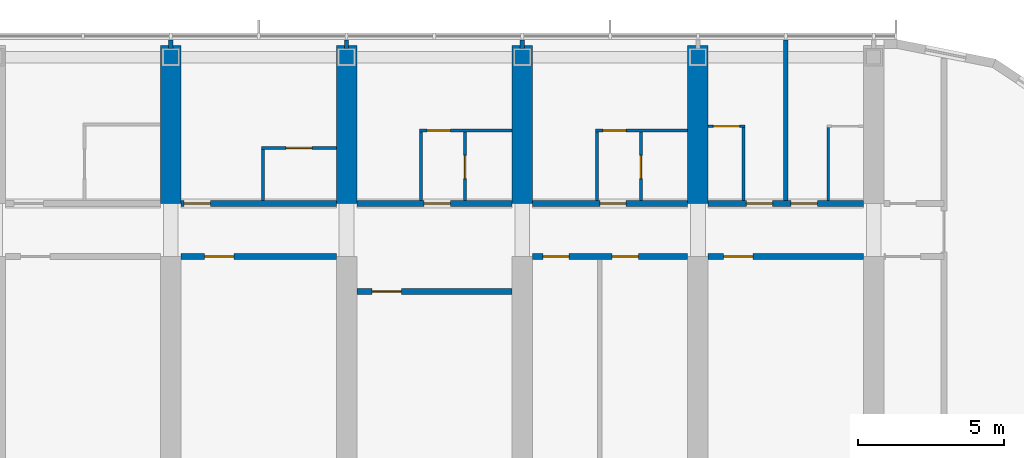
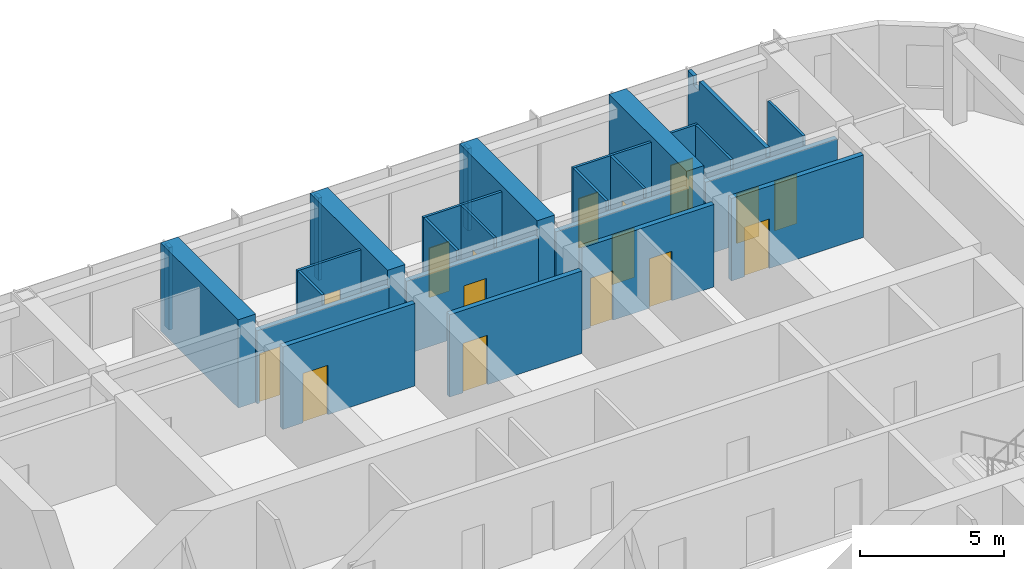
# One storey, part 17 of 23: 27 walls, 16 doors, 16 openings.
"""IFC4 building model written with IfcOpenShell, lengths in metres."""

from ifc_helpers import new_model, si_unit, direction, frame, frame_2d, origin, place, context, subcontext, project, spatial, polyline, rectangle, outline, extrude, material, layer, layer_set, type_object, element, fill, save


model = new_model("IFC4")

# Units and contexts
model_context = context("Model", 3, precision=1e-05, world=origin(), true_north=direction((0.0, 1.0)))
body_context = subcontext(model_context, "Body", "Model", "MODEL_VIEW")
ifc_project = project(units=[si_unit("LENGTHUNIT", "METRE"), si_unit("AREAUNIT", "SQUARE_METRE"), si_unit("VOLUMEUNIT", "CUBIC_METRE"), si_unit("PLANEANGLEUNIT", "RADIAN"), si_unit("MASSUNIT", "GRAM", prefix="KILO")], contexts=[model_context])

# Site, building, storey
site_placement = place(None, origin())
site = spatial("IfcSite", under=ifc_project, at=site_placement, CompositionType="ELEMENT")
building_placement = place(site_placement, origin())
building = spatial("IfcBuilding", under=site, at=building_placement, Name="Orbita Commons", CompositionType="ELEMENT")
storey_placement = place(building_placement, frame((0.0, 0.0, 250.300048828125)))
storey = spatial("IfcBuildingStorey", under=building, at=storey_placement, Name="L62", CompositionType="ELEMENT", Elevation=250.300048828125)

# Wall, opening, door
ifc_material_1 = material(Name="Concrete blockwork", Category="masonry")
ifc_layer_1 = layer(ifc_material_1, 0.199951171875)
ifc_layer_set_1 = layer_set([ifc_layer_1], Name="Concrete blockwork")
wall_type_1 = type_object("IfcWallType", Name="Corridor wall 200 blockwork", PredefinedType="SOLIDWALL", material=ifc_layer_set_1)
wall_1_placement = place(storey_placement, frame((42.35009765625, 47.39990234375, 0.0), z_axis=(0.0, 0.0, 1.0), x_axis=(1.0, 0.0, 0.0)))
wall_1 = element("IfcWall", 1, at=wall_1_placement, inside=storey, type_object=wall_type_1, Name="Corridor wall 200 blockwork L62", PredefinedType="SOLIDWALL", context=body_context, shape_type="SweptSolid", body=[
    extrude(outline(polyline([(0.0, 0.0), (5.2998046875, 0.0), (5.300048828125, 3.099853515625), (0.0, 3.099853515625), (0.0, 0.0)])), frame((0.0, 0.10009765625, 0.0), z_axis=(0.0, -1.0, 0.0), x_axis=(1.0, 0.0, 0.0)), (0.0, 0.0, 1.0), 0.199951171875),
])
opening_1_placement = place(wall_1_placement, frame((0.10009765625, 0.0, 0.0)))
opening_1 = element("IfcOpeningElement", 2, at=opening_1_placement, cuts=wall_1, Name="Opening D11", PredefinedType="OPENING", context=body_context, shape_type="SweptSolid", body=[
    extrude(rectangle(XDim=0.89990234375, YDim=2.10009765625, at=frame_2d((0.449951171875, 1.050048828125))), frame((0.0, 0.10986328125, 0.0), z_axis=(0.0, -1.0, 0.0), x_axis=(1.0, 0.0, 0.0)), (0.0, 0.0, 1.0), 0.219970703125),
])
ifc_material_2 = material(Name="Steel-faced fire door leaf", Category="steel")
door_type_1 = type_object("IfcDoorType", Name="Corridor door 20 min 900x2100", OperationType="SINGLE_SWING_LEFT", PredefinedType="DOOR", material=ifc_material_2)
door_1_placement = place(opening_1_placement, origin())
door_1 = element("IfcDoor", 3, at=door_1_placement, inside=storey, type_object=door_type_1, Name="Studio apartment with kitchenette L62-N08 door", OperationType="SINGLE_SWING_LEFT", OverallHeight=2.10009765625, OverallWidth=0.89990234375, PredefinedType="DOOR", context=body_context, shape_type="SweptSolid", body=[
    extrude(rectangle(XDim=0.89990234375, YDim=2.10009765625, at=frame_2d((0.449951171875, 1.050048828125))), frame((0.0, 0.02490234375, 0.0), z_axis=(0.0, -1.0, 0.0), x_axis=(1.0, 0.0, 0.0)), (0.0, 0.0, 1.0), 0.050048828125),
])
fill(opening_1, door_1)

wall_2_placement = place(storey_placement, frame((48.35009765625, 47.39990234375, 0.0), z_axis=(0.0, 0.0, 1.0), x_axis=(1.0, 0.0, 0.0)))
wall_2 = element("IfcWall", 4, at=wall_2_placement, inside=storey, type_object=wall_type_1, Name="Corridor wall 200 blockwork L62", PredefinedType="SOLIDWALL", context=body_context, shape_type="SweptSolid", body=[
    extrude(outline(polyline([(0.0, 0.0), (5.2998046875, 0.0), (5.300048828125, 3.099853515625), (0.0, 3.099853515625), (0.0, 0.0)])), frame((0.0, 0.10009765625, 0.0), z_axis=(0.0, -1.0, 0.0), x_axis=(1.0, 0.0, 0.0)), (0.0, 0.0, 1.0), 0.199951171875),
])
opening_2_placement = place(wall_2_placement, frame((2.300048828125, 0.0, 0.0)))
opening_2 = element("IfcOpeningElement", 5, at=opening_2_placement, cuts=wall_2, Name="Opening D11", PredefinedType="OPENING", context=body_context, shape_type="SweptSolid", body=[
    extrude(rectangle(XDim=0.89990234375, YDim=2.10009765625, at=frame_2d((0.449951171875, 1.050048828125))), frame((0.0, 0.10986328125, 0.0), z_axis=(0.0, -1.0, 0.0), x_axis=(1.0, 0.0, 0.0)), (0.0, 0.0, 1.0), 0.219970703125),
])
door_2_placement = place(opening_2_placement, origin())
door_2 = element("IfcDoor", 6, at=door_2_placement, inside=storey, type_object=door_type_1, Name="Studio flat L62-N10 entrance door", OperationType="SINGLE_SWING_LEFT", OverallHeight=2.10009765625, OverallWidth=0.89990234375, PredefinedType="DOOR", context=body_context, shape_type="SweptSolid", body=[
    extrude(rectangle(XDim=0.89990234375, YDim=2.10009765625, at=frame_2d((0.449951171875, 1.050048828125))), frame((0.0, 0.02490234375, 0.0), z_axis=(0.0, -1.0, 0.0), x_axis=(1.0, 0.0, 0.0)), (0.0, 0.0, 1.0), 0.050048828125),
])
fill(opening_2, door_2)

wall_3_placement = place(storey_placement, frame((54.35009765625, 47.39990234375, 0.0), z_axis=(0.0, 0.0, 1.0), x_axis=(1.0, 0.0, 0.0)))
wall_3 = element("IfcWall", 7, at=wall_3_placement, inside=storey, type_object=wall_type_1, Name="Corridor wall 200 blockwork L62", PredefinedType="SOLIDWALL", context=body_context, shape_type="SweptSolid", body=[
    extrude(outline(polyline([(0.0, 0.0), (5.2998046875, 0.0), (5.300048828125, 3.099853515625), (0.0, 3.099853515625), (0.0, 0.0)])), frame((0.0, 0.10009765625, 0.0), z_axis=(0.0, -1.0, 0.0), x_axis=(1.0, 0.0, 0.0)), (0.0, 0.0, 1.0), 0.199951171875),
])
opening_3_placement = place(wall_3_placement, frame((2.300048828125, 0.0, 0.0)))
opening_3 = element("IfcOpeningElement", 8, at=opening_3_placement, cuts=wall_3, Name="Opening D11", PredefinedType="OPENING", context=body_context, shape_type="SweptSolid", body=[
    extrude(rectangle(XDim=0.89990234375, YDim=2.10009765625, at=frame_2d((0.449951171875, 1.050048828125))), frame((0.0, 0.10986328125, 0.0), z_axis=(0.0, -1.0, 0.0), x_axis=(1.0, 0.0, 0.0)), (0.0, 0.0, 1.0), 0.219970703125),
])
door_3_placement = place(opening_3_placement, origin())
door_3 = element("IfcDoor", 9, at=door_3_placement, inside=storey, type_object=door_type_1, Name="Studio flat L62-N12 entrance door", OperationType="SINGLE_SWING_LEFT", OverallHeight=2.10009765625, OverallWidth=0.89990234375, PredefinedType="DOOR", context=body_context, shape_type="SweptSolid", body=[
    extrude(rectangle(XDim=0.89990234375, YDim=2.10009765625, at=frame_2d((0.449951171875, 1.050048828125))), frame((0.0, 0.02490234375, 0.0), z_axis=(0.0, -1.0, 0.0), x_axis=(1.0, 0.0, 0.0)), (0.0, 0.0, 1.0), 0.050048828125),
])
fill(opening_3, door_3)

# Wall, openings, doors
wall_4_placement = place(storey_placement, frame((60.35009765625, 47.39990234375, 0.0), z_axis=(0.0, 0.0, 1.0), x_axis=(1.0, 0.0, 0.0)))
wall_4 = element("IfcWall", 10, at=wall_4_placement, inside=storey, type_object=wall_type_1, Name="Corridor wall 200 blockwork L62", PredefinedType="SOLIDWALL", context=body_context, shape_type="SweptSolid", body=[
    extrude(outline(polyline([(0.0, 0.0), (5.2998046875, 0.0), (5.300048828125, 3.099853515625), (0.0, 3.099853515625), (0.0, 0.0)])), frame((0.0, 0.10009765625, 0.0), z_axis=(0.0, -1.0, 0.0), x_axis=(1.0, 0.0, 0.0)), (0.0, 0.0, 1.0), 0.199951171875),
])
opening_4_placement = place(wall_4_placement, frame((1.300048828125, 0.0, 0.0)))
opening_4 = element("IfcOpeningElement", 11, at=opening_4_placement, cuts=wall_4, Name="Opening D11", PredefinedType="OPENING", context=body_context, shape_type="SweptSolid", body=[
    extrude(rectangle(XDim=0.89990234375, YDim=2.10009765625, at=frame_2d((0.449951171875, 1.050048828125))), frame((0.0, 0.10986328125, 0.0), z_axis=(0.0, -1.0, 0.0), x_axis=(1.0, 0.0, 0.0)), (0.0, 0.0, 1.0), 0.219970703125),
])
opening_5_placement = place(wall_4_placement, frame((2.824951171875, 0.0, 0.0)))
opening_5 = element("IfcOpeningElement", 12, at=opening_5_placement, cuts=wall_4, Name="Opening D11", PredefinedType="OPENING", context=body_context, shape_type="SweptSolid", body=[
    extrude(rectangle(XDim=0.89990234375, YDim=2.10009765625, at=frame_2d((0.449951171875, 1.050048828125))), frame((0.0, 0.10986328125, 0.0), z_axis=(0.0, -1.0, 0.0), x_axis=(1.0, 0.0, 0.0)), (0.0, 0.0, 1.0), 0.219970703125),
])
door_4_placement = place(opening_4_placement, origin())
door_4 = element("IfcDoor", 13, at=door_4_placement, inside=storey, type_object=door_type_1, Name="Cluster bedroom L62-N14 door", OperationType="SINGLE_SWING_LEFT", OverallHeight=2.10009765625, OverallWidth=0.89990234375, PredefinedType="DOOR", context=body_context, shape_type="SweptSolid", body=[
    extrude(rectangle(XDim=0.89990234375, YDim=2.10009765625, at=frame_2d((0.449951171875, 1.050048828125))), frame((0.0, 0.02490234375, 0.0), z_axis=(0.0, -1.0, 0.0), x_axis=(1.0, 0.0, 0.0)), (0.0, 0.0, 1.0), 0.050048828125),
])
fill(opening_4, door_4)
door_5_placement = place(opening_5_placement, origin())
door_5 = element("IfcDoor", 14, at=door_5_placement, inside=storey, type_object=door_type_1, Name="Cluster bedroom L62-N15 door", OperationType="SINGLE_SWING_LEFT", OverallHeight=2.10009765625, OverallWidth=0.89990234375, PredefinedType="DOOR", context=body_context, shape_type="SweptSolid", body=[
    extrude(rectangle(XDim=0.89990234375, YDim=2.10009765625, at=frame_2d((0.449951171875, 1.050048828125))), frame((0.0, 0.02490234375, 0.0), z_axis=(0.0, -1.0, 0.0), x_axis=(1.0, 0.0, 0.0)), (0.0, 0.0, 1.0), 0.050048828125),
])
fill(opening_5, door_5)

# Wall, opening, door
ifc_material_3 = material(Name="Hollow concrete block 200", Category="concrete")
ifc_layer_2 = layer(ifc_material_3, 0.199951171875)
ifc_layer_set_2 = layer_set([ifc_layer_2], Name="Hollow concrete block 200")
wall_type_2 = type_object("IfcWallType", Name="Corridor wall 200 hollow concrete block", PredefinedType="SOLIDWALL", material=ifc_layer_set_2)
wall_5_placement = place(storey_placement, frame((42.35009765625, 45.60009765625, 0.0), z_axis=(0.0, 0.0, 1.0), x_axis=(1.0, 0.0, 0.0)))
wall_5 = element("IfcWall", 15, at=wall_5_placement, inside=storey, type_object=wall_type_2, Name="Corridor wall 200 hollow concrete block L62", PredefinedType="SOLIDWALL", context=body_context, shape_type="SweptSolid", body=[
    extrude(rectangle(XDim=5.2998046875, YDim=0.199951171875, at=frame_2d((2.64990234375, 0.0))), origin(), (0.0, 0.0, 1.0), 3.5),
])
opening_6_placement = place(wall_5_placement, frame((0.800048828125, 0.0, 0.0)))
opening_6 = element("IfcOpeningElement", 16, at=opening_6_placement, cuts=wall_5, Name="Opening D06", PredefinedType="OPENING", context=body_context, shape_type="SweptSolid", body=[
    extrude(rectangle(XDim=1.0, YDim=2.10009765625, at=frame_2d((0.5, 1.050048828125))), frame((0.0, 0.10986328125, 0.0), z_axis=(0.0, -1.0, 0.0), x_axis=(1.0, 0.0, 0.0)), (0.0, 0.0, 1.0), 0.219970703125),
])
ifc_material_4 = material(Name="Steel-faced fire door leaf", Category="steel")
door_type_2 = type_object("IfcDoorType", Name="Corridor door 20 min 1000x2100", OperationType="SINGLE_SWING_LEFT", PredefinedType="DOOR", material=ifc_material_4)
door_6_placement = place(opening_6_placement, origin())
door_6 = element("IfcDoor", 17, at=door_6_placement, inside=storey, type_object=door_type_2, Name="Electrical and data room L62-BDN42 door", OperationType="SINGLE_SWING_LEFT", OverallHeight=2.10009765625, OverallWidth=1.0, PredefinedType="DOOR", context=body_context, shape_type="SweptSolid", body=[
    extrude(rectangle(XDim=1.0, YDim=2.10009765625, at=frame_2d((0.5, 1.050048828125))), frame((0.0, 0.02490234375, 0.0), z_axis=(0.0, -1.0, 0.0), x_axis=(1.0, 0.0, 0.0)), (0.0, 0.0, 1.0), 0.050048828125),
])
fill(opening_6, door_6)

# Wall, openings, doors
wall_6_placement = place(storey_placement, frame((54.35009765625, 45.60009765625, 0.0), z_axis=(0.0, 0.0, 1.0), x_axis=(1.0, 0.0, 0.0)))
wall_6 = element("IfcWall", 18, at=wall_6_placement, inside=storey, type_object=wall_type_2, Name="Corridor wall 200 hollow concrete block L62", PredefinedType="SOLIDWALL", context=body_context, shape_type="SweptSolid", body=[
    extrude(rectangle(XDim=5.2998046875, YDim=0.199951171875, at=frame_2d((2.64990234375, 0.0))), origin(), (0.0, 0.0, 1.0), 3.5),
])
opening_7_placement = place(wall_6_placement, frame((0.35009765625, 0.0, 0.0)))
opening_7 = element("IfcOpeningElement", 19, at=opening_7_placement, cuts=wall_6, Name="Opening D11", PredefinedType="OPENING", context=body_context, shape_type="SweptSolid", body=[
    extrude(rectangle(XDim=0.89990234375, YDim=2.10009765625, at=frame_2d((0.449951171875, 1.050048828125))), frame((0.0, 0.10986328125, 0.0), z_axis=(0.0, -1.0, 0.0), x_axis=(1.0, 0.0, 0.0)), (0.0, 0.0, 1.0), 0.219970703125),
])
opening_8_placement = place(wall_6_placement, frame((2.715087890625, 0.0, 0.0)))
opening_8 = element("IfcOpeningElement", 20, at=opening_8_placement, cuts=wall_6, Name="Opening D11", PredefinedType="OPENING", context=body_context, shape_type="SweptSolid", body=[
    extrude(rectangle(XDim=0.89990234375, YDim=2.10009765625, at=frame_2d((0.449951171875, 1.050048828125))), frame((0.0, 0.10986328125, 0.0), z_axis=(0.0, -1.0, 0.0), x_axis=(1.0, 0.0, 0.0)), (0.0, 0.0, 1.0), 0.219970703125),
])
door_7_placement = place(opening_7_placement, origin())
door_7 = element("IfcDoor", 21, at=door_7_placement, inside=storey, type_object=door_type_1, Name="Battery and UPS room L62-BDN54n door", OperationType="SINGLE_SWING_LEFT", OverallHeight=2.10009765625, OverallWidth=0.89990234375, PredefinedType="DOOR", context=body_context, shape_type="SweptSolid", body=[
    extrude(rectangle(XDim=0.89990234375, YDim=2.10009765625, at=frame_2d((0.449951171875, 1.050048828125))), frame((0.0, 0.02490234375, 0.0), z_axis=(0.0, -1.0, 0.0), x_axis=(1.0, 0.0, 0.0)), (0.0, 0.0, 1.0), 0.050048828125),
])
fill(opening_7, door_7)
door_8_placement = place(opening_8_placement, origin())
door_8 = element("IfcDoor", 22, at=door_8_placement, inside=storey, type_object=door_type_1, Name="Refuse and recycling room L62-BDN54 door", OperationType="SINGLE_SWING_LEFT", OverallHeight=2.10009765625, OverallWidth=0.89990234375, PredefinedType="DOOR", context=body_context, shape_type="SweptSolid", body=[
    extrude(rectangle(XDim=0.89990234375, YDim=2.10009765625, at=frame_2d((0.449951171875, 1.050048828125))), frame((0.0, 0.02490234375, 0.0), z_axis=(0.0, -1.0, 0.0), x_axis=(1.0, 0.0, 0.0)), (0.0, 0.0, 1.0), 0.050048828125),
])
fill(opening_8, door_8)

# Wall, opening, door
wall_7_placement = place(storey_placement, frame((60.35009765625, 45.60009765625, 0.0), z_axis=(0.0, 0.0, 1.0), x_axis=(1.0, 0.0, 0.0)))
wall_7 = element("IfcWall", 23, at=wall_7_placement, inside=storey, type_object=wall_type_2, Name="Corridor wall 200 hollow concrete block L62", PredefinedType="SOLIDWALL", context=body_context, shape_type="SweptSolid", body=[
    extrude(rectangle(XDim=5.2998046875, YDim=0.199951171875, at=frame_2d((2.64990234375, 0.0))), origin(), (0.0, 0.0, 1.0), 3.5),
])
opening_9_placement = place(wall_7_placement, frame((0.52490234375, 0.0, 0.0)))
opening_9 = element("IfcOpeningElement", 24, at=opening_9_placement, cuts=wall_7, Name="Opening D06", PredefinedType="OPENING", context=body_context, shape_type="SweptSolid", body=[
    extrude(rectangle(XDim=1.0, YDim=2.10009765625, at=frame_2d((0.5, 1.050048828125))), frame((0.0, 0.10986328125, 0.0), z_axis=(0.0, -1.0, 0.0), x_axis=(1.0, 0.0, 0.0)), (0.0, 0.0, 1.0), 0.219970703125),
])
door_9_placement = place(opening_9_placement, origin())
door_9 = element("IfcDoor", 25, at=door_9_placement, inside=storey, type_object=door_type_2, Name="Store L62-BDN60 door", OperationType="SINGLE_SWING_LEFT", OverallHeight=2.10009765625, OverallWidth=1.0, PredefinedType="DOOR", context=body_context, shape_type="SweptSolid", body=[
    extrude(rectangle(XDim=1.0, YDim=2.10009765625, at=frame_2d((0.5, 1.050048828125))), frame((0.0, 0.02490234375, 0.0), z_axis=(0.0, -1.0, 0.0), x_axis=(1.0, 0.0, 0.0)), (0.0, 0.0, 1.0), 0.050048828125),
])
fill(opening_9, door_9)

wall_8_placement = place(storey_placement, frame((48.35009765625, 44.39990234375, 0.0), z_axis=(0.0, 0.0, 1.0), x_axis=(1.0, 0.0, 0.0)))
wall_8 = element("IfcWall", 26, at=wall_8_placement, inside=storey, type_object=wall_type_2, Name="Corridor wall 200 hollow concrete block L62", PredefinedType="SOLIDWALL", context=body_context, shape_type="SweptSolid", body=[
    extrude(rectangle(XDim=5.2998046875, YDim=0.199951171875, at=frame_2d((2.64990234375, 0.0))), origin(), (0.0, 0.0, 1.0), 3.5),
])
opening_10_placement = place(wall_8_placement, frame((0.52490234375, 0.0, 0.0)))
opening_10 = element("IfcOpeningElement", 27, at=opening_10_placement, cuts=wall_8, Name="Opening D06", PredefinedType="OPENING", context=body_context, shape_type="SweptSolid", body=[
    extrude(rectangle(XDim=1.0, YDim=2.10009765625, at=frame_2d((0.5, 1.050048828125))), frame((0.0, 0.10986328125, 0.0), z_axis=(0.0, -1.0, 0.0), x_axis=(1.0, 0.0, 0.0)), (0.0, 0.0, 1.0), 0.219970703125),
])
door_10_placement = place(opening_10_placement, origin())
door_10 = element("IfcDoor", 28, at=door_10_placement, inside=storey, type_object=door_type_2, Name="Ventilation plant room north L62-BDN48 door", OperationType="SINGLE_SWING_LEFT", OverallHeight=2.10009765625, OverallWidth=1.0, PredefinedType="DOOR", context=body_context, shape_type="SweptSolid", body=[
    extrude(rectangle(XDim=1.0, YDim=2.10009765625, at=frame_2d((0.5, 1.050048828125))), frame((0.0, 0.02490234375, 0.0), z_axis=(0.0, -1.0, 0.0), x_axis=(1.0, 0.0, 0.0)), (0.0, 0.0, 1.0), 0.050048828125),
])
fill(opening_10, door_10)

# Walls
ifc_material_5 = material(Name="Concrete C50/60", Category="concrete")
ifc_layer_3 = layer(ifc_material_5, 0.699951171875)
ifc_layer_set_3 = layer_set([ifc_layer_3], Name="Concrete C50/60")
wall_type_3 = type_object("IfcWallType", Name="Cross wall 700 C50/60", PredefinedType="SHEAR", material=ifc_layer_set_3)
for number, where, z_axis, x_axis, name in (
    (29, (42.0, 47.39990234375, 0.0), (0.0, 0.0, 1.0), (0.0, 1.0, 0.0), "Cross wall 8 north outer L62"),
    (30, (48.0, 47.39990234375, 0.0), (0.0, 0.0, 1.0), (0.0, 1.0, 0.0), "Cross wall 9 north outer L62"),
    (31, (54.0, 47.39990234375, 0.0), (0.0, 0.0, 1.0), (0.0, 1.0, 0.0), "Cross wall 10 north outer L62"),
    (32, (60.0, 47.39990234375, 0.0), (0.0, 0.0, 1.0), (0.0, 1.0, 0.0), "Cross wall 11 north outer L62"),
):
    element("IfcWall", number, at=place(storey_placement, frame(where, z_axis=z_axis, x_axis=x_axis)), inside=storey, type_object=wall_type_3, Name=name, PredefinedType="SHEAR", context=body_context, shape_type="SweptSolid", body=[
        extrude(rectangle(XDim=5.400146484375, YDim=0.699951171875, at=frame_2d((2.7001953125, 0.0))), origin(), (0.0, 0.0, 1.0), 3.75),
    ])

# Wall, opening, door
ifc_material_6 = material(Name="Moisture-resistant plasterboard on steel studs", Category="steel")
ifc_layer_4 = layer(ifc_material_6, 0.10009765625)
ifc_layer_set_4 = layer_set([ifc_layer_4], Name="Moisture-resistant plasterboard on steel studs")
wall_type_4 = type_object("IfcWallType", Name="En-suite partition 100", PredefinedType="PARTITIONING", material=ifc_layer_set_4)
wall_9_placement = place(storey_placement, frame((45.10009765625, 49.300048828125, 0.0), z_axis=(0.0, 0.0, 1.0), x_axis=(1.0, 0.0, 0.0)))
wall_9 = element("IfcWall", 33, at=wall_9_placement, inside=storey, type_object=wall_type_4, Name="En-suite partition 100 L62", PredefinedType="PARTITIONING", context=body_context, shape_type="SweptSolid", body=[
    extrude(rectangle(XDim=2.5498046875, YDim=0.10009765625, at=frame_2d((1.27490234375, 0.0))), origin(), (0.0, 0.0, 1.0), 3.5),
])
opening_11_placement = place(wall_9_placement, frame((0.824951171875, 0.0, 0.0)))
opening_11 = element("IfcOpeningElement", 34, at=opening_11_placement, cuts=wall_9, Name="Opening D09", PredefinedType="OPENING", context=body_context, shape_type="SweptSolid", body=[
    extrude(rectangle(XDim=0.89990234375, YDim=2.10009765625, at=frame_2d((0.449951171875, 1.050048828125))), frame((0.0, 0.06005859375, 0.0), z_axis=(0.0, -1.0, 0.0), x_axis=(1.0, 0.0, 0.0)), (0.0, 0.0, 1.0), 0.1201171875),
])
ifc_material_7 = material(Name="Laminated timber door leaf", Category="wood")
door_type_3 = type_object("IfcDoorType", Name="En-suite door 900x2100", OperationType="SINGLE_SWING_RIGHT", PredefinedType="DOOR", material=ifc_material_7)
door_11_placement = place(opening_11_placement, origin())
door_11 = element("IfcDoor", 35, at=door_11_placement, inside=storey, type_object=door_type_3, Name="En-suite L62-N08 door", OperationType="SINGLE_SWING_RIGHT", OverallHeight=2.10009765625, OverallWidth=0.89990234375, PredefinedType="DOOR", context=body_context, shape_type="SweptSolid", body=[
    extrude(rectangle(XDim=0.89990234375, YDim=2.10009765625, at=frame_2d((0.449951171875, 1.050048828125))), frame((0.0, 0.02490234375, 0.0), z_axis=(0.0, -1.0, 0.0), x_axis=(1.0, 0.0, 0.0)), (0.0, 0.0, 1.0), 0.050048828125),
])
fill(opening_11, door_11)

# Wall
wall_10_placement = place(storey_placement, frame((45.14990234375, 49.25, 0.0), z_axis=(0.0, 0.0, 1.0), x_axis=(0.0, -1.0, 0.0)))
element("IfcWall", 36, at=wall_10_placement, inside=storey, type_object=wall_type_4, Name="En-suite partition 100 L62", PredefinedType="PARTITIONING", context=body_context, shape_type="SweptSolid", body=[
    extrude(outline(polyline([(0.0, 0.0), (1.75, 0.0), (1.75, 3.099853515625), (1.701904296875, 3.099853515625), (1.699951171875, 3.5), (0.0, 3.5), (0.0, 0.0)])), frame((0.0, 0.050048828125, 0.0), z_axis=(0.0, -1.0, 0.0), x_axis=(1.0, 0.0, 0.0)), (0.0, 0.0, 1.0), 0.10009765625),
])

# Wall, opening, door
wall_11_placement = place(storey_placement, frame((50.5, 49.89990234375, 0.0), z_axis=(0.0, 0.0, 1.0), x_axis=(1.0, 0.0, 0.0)))
wall_11 = element("IfcWall", 37, at=wall_11_placement, inside=storey, type_object=wall_type_4, Name="En-suite partition 100 L62", PredefinedType="PARTITIONING", context=body_context, shape_type="SweptSolid", body=[
    extrude(rectangle(XDim=3.14990234375, YDim=0.10009765625, at=frame_2d((1.574951171875, 0.0))), origin(), (0.0, 0.0, 1.0), 3.5),
])
opening_12_placement = place(wall_11_placement, frame((0.25, 0.0, 0.0)))
opening_12 = element("IfcOpeningElement", 38, at=opening_12_placement, cuts=wall_11, Name="Opening D16", PredefinedType="OPENING", context=body_context, shape_type="SweptSolid", body=[
    extrude(rectangle(XDim=0.800048828125, YDim=2.10009765625, at=frame_2d((0.39990234375, 1.050048828125))), frame((0.0, 0.06005859375, 0.0), z_axis=(0.0, -1.0, 0.0), x_axis=(1.0, 0.0, 0.0)), (0.0, 0.0, 1.0), 0.1201171875),
])
ifc_material_8 = material(Name="Laminated timber door leaf", Category="wood")
door_type_4 = type_object("IfcDoorType", Name="En-suite door 800x2100", OperationType="SINGLE_SWING_RIGHT", PredefinedType="DOOR", material=ifc_material_8)
door_12_placement = place(opening_12_placement, origin())
door_12 = element("IfcDoor", 39, at=door_12_placement, inside=storey, type_object=door_type_4, Name="Studio flat L62-N10 door", OperationType="SINGLE_SWING_RIGHT", OverallHeight=2.10009765625, OverallWidth=0.800048828125, PredefinedType="DOOR", context=body_context, shape_type="SweptSolid", body=[
    extrude(rectangle(XDim=0.800048828125, YDim=2.10009765625, at=frame_2d((0.39990234375, 1.050048828125))), frame((0.0, 0.02490234375, 0.0), z_axis=(0.0, -1.0, 0.0), x_axis=(1.0, 0.0, 0.0)), (0.0, 0.0, 1.0), 0.050048828125),
])
fill(opening_12, door_12)

# Wall
wall_12_placement = place(storey_placement, frame((50.550048828125, 49.85009765625, 0.0), z_axis=(0.0, 0.0, 1.0), x_axis=(0.0, -1.0, 0.0)))
element("IfcWall", 40, at=wall_12_placement, inside=storey, type_object=wall_type_4, Name="En-suite partition 100 L62", PredefinedType="PARTITIONING", context=body_context, shape_type="SweptSolid", body=[
    extrude(outline(polyline([(0.0, 0.0), (2.35009765625, 0.0), (2.35009765625, 3.099853515625), (2.302001953125, 3.099853515625), (2.300048828125, 3.5), (0.0, 3.5), (0.0, 0.0)])), frame((0.0, 0.050048828125, 0.0), z_axis=(0.0, -1.0, 0.0), x_axis=(1.0, 0.0, 0.0)), (0.0, 0.0, 1.0), 0.10009765625),
])

# Wall, opening, door
wall_13_placement = place(storey_placement, frame((52.050048828125, 49.85009765625, 0.0), z_axis=(0.0, 0.0, 1.0), x_axis=(0.0, -1.0, 0.0)))
wall_13 = element("IfcWall", 41, at=wall_13_placement, inside=storey, type_object=wall_type_4, Name="En-suite partition 100 L62", PredefinedType="PARTITIONING", context=body_context, shape_type="SweptSolid", body=[
    extrude(outline(polyline([(0.0, 0.0), (2.35009765625, 0.0), (2.35009765625, 3.099853515625), (2.302001953125, 3.099853515625), (2.300048828125, 3.5), (0.0, 3.5), (0.0, 0.0)])), frame((0.0, 0.050048828125, 0.0), z_axis=(0.0, -1.0, 0.0), x_axis=(1.0, 0.0, 0.0)), (0.0, 0.0, 1.0), 0.10009765625),
])
opening_13_placement = place(wall_13_placement, frame((0.800048828125, 0.0, 0.0)))
opening_13 = element("IfcOpeningElement", 42, at=opening_13_placement, cuts=wall_13, Name="Opening D16", PredefinedType="OPENING", context=body_context, shape_type="SweptSolid", body=[
    extrude(rectangle(XDim=0.800048828125, YDim=2.10009765625, at=frame_2d((0.39990234375, 1.050048828125))), frame((0.0, 0.06005859375, 0.0), z_axis=(0.0, -1.0, 0.0), x_axis=(1.0, 0.0, 0.0)), (0.0, 0.0, 1.0), 0.1201171875),
])
door_13_placement = place(opening_13_placement, origin())
door_13 = element("IfcDoor", 43, at=door_13_placement, inside=storey, type_object=door_type_4, Name="Studio flat shower room L62-N10 door", OperationType="SINGLE_SWING_RIGHT", OverallHeight=2.10009765625, OverallWidth=0.800048828125, PredefinedType="DOOR", context=body_context, shape_type="SweptSolid", body=[
    extrude(rectangle(XDim=0.800048828125, YDim=2.10009765625, at=frame_2d((0.39990234375, 1.050048828125))), frame((0.0, 0.02490234375, 0.0), z_axis=(0.0, -1.0, 0.0), x_axis=(1.0, 0.0, 0.0)), (0.0, 0.0, 1.0), 0.050048828125),
])
fill(opening_13, door_13)

wall_14_placement = place(storey_placement, frame((56.5, 49.89990234375, 0.0), z_axis=(0.0, 0.0, 1.0), x_axis=(1.0, 0.0, 0.0)))
wall_14 = element("IfcWall", 44, at=wall_14_placement, inside=storey, type_object=wall_type_4, Name="En-suite partition 100 L62", PredefinedType="PARTITIONING", context=body_context, shape_type="SweptSolid", body=[
    extrude(rectangle(XDim=3.14990234375, YDim=0.10009765625, at=frame_2d((1.574951171875, 0.0))), origin(), (0.0, 0.0, 1.0), 3.5),
])
opening_14_placement = place(wall_14_placement, frame((0.25, 0.0, 0.0)))
opening_14 = element("IfcOpeningElement", 45, at=opening_14_placement, cuts=wall_14, Name="Opening D16", PredefinedType="OPENING", context=body_context, shape_type="SweptSolid", body=[
    extrude(rectangle(XDim=0.800048828125, YDim=2.10009765625, at=frame_2d((0.39990234375, 1.050048828125))), frame((0.0, 0.06005859375, 0.0), z_axis=(0.0, -1.0, 0.0), x_axis=(1.0, 0.0, 0.0)), (0.0, 0.0, 1.0), 0.1201171875),
])
door_14_placement = place(opening_14_placement, origin())
door_14 = element("IfcDoor", 46, at=door_14_placement, inside=storey, type_object=door_type_4, Name="Studio flat L62-N12 door", OperationType="SINGLE_SWING_RIGHT", OverallHeight=2.10009765625, OverallWidth=0.800048828125, PredefinedType="DOOR", context=body_context, shape_type="SweptSolid", body=[
    extrude(rectangle(XDim=0.800048828125, YDim=2.10009765625, at=frame_2d((0.39990234375, 1.050048828125))), frame((0.0, 0.02490234375, 0.0), z_axis=(0.0, -1.0, 0.0), x_axis=(1.0, 0.0, 0.0)), (0.0, 0.0, 1.0), 0.050048828125),
])
fill(opening_14, door_14)

# Wall
wall_15_placement = place(storey_placement, frame((56.550048828125, 49.85009765625, 0.0), z_axis=(0.0, 0.0, 1.0), x_axis=(0.0, -1.0, 0.0)))
element("IfcWall", 47, at=wall_15_placement, inside=storey, type_object=wall_type_4, Name="En-suite partition 100 L62", PredefinedType="PARTITIONING", context=body_context, shape_type="SweptSolid", body=[
    extrude(outline(polyline([(0.0, 0.0), (2.35009765625, 0.0), (2.35009765625, 3.099853515625), (2.302001953125, 3.099853515625), (2.300048828125, 3.5), (0.0, 3.5), (0.0, 0.0)])), frame((0.0, 0.050048828125, 0.0), z_axis=(0.0, -1.0, 0.0), x_axis=(1.0, 0.0, 0.0)), (0.0, 0.0, 1.0), 0.10009765625),
])

# Wall, opening, door
wall_16_placement = place(storey_placement, frame((58.050048828125, 49.85009765625, 0.0), z_axis=(0.0, 0.0, 1.0), x_axis=(0.0, -1.0, 0.0)))
wall_16 = element("IfcWall", 48, at=wall_16_placement, inside=storey, type_object=wall_type_4, Name="En-suite partition 100 L62", PredefinedType="PARTITIONING", context=body_context, shape_type="SweptSolid", body=[
    extrude(outline(polyline([(0.0, 0.0), (2.35009765625, 0.0), (2.35009765625, 3.099853515625), (2.302001953125, 3.099853515625), (2.300048828125, 3.5), (0.0, 3.5), (0.0, 0.0)])), frame((0.0, 0.050048828125, 0.0), z_axis=(0.0, -1.0, 0.0), x_axis=(1.0, 0.0, 0.0)), (0.0, 0.0, 1.0), 0.10009765625),
])
opening_15_placement = place(wall_16_placement, frame((0.800048828125, 0.0, 0.0)))
opening_15 = element("IfcOpeningElement", 49, at=opening_15_placement, cuts=wall_16, Name="Opening D16", PredefinedType="OPENING", context=body_context, shape_type="SweptSolid", body=[
    extrude(rectangle(XDim=0.800048828125, YDim=2.10009765625, at=frame_2d((0.39990234375, 1.050048828125))), frame((0.0, 0.06005859375, 0.0), z_axis=(0.0, -1.0, 0.0), x_axis=(1.0, 0.0, 0.0)), (0.0, 0.0, 1.0), 0.1201171875),
])
door_15_placement = place(opening_15_placement, origin())
door_15 = element("IfcDoor", 50, at=door_15_placement, inside=storey, type_object=door_type_4, Name="Studio flat shower room L62-N12 door", OperationType="SINGLE_SWING_RIGHT", OverallHeight=2.10009765625, OverallWidth=0.800048828125, PredefinedType="DOOR", context=body_context, shape_type="SweptSolid", body=[
    extrude(rectangle(XDim=0.800048828125, YDim=2.10009765625, at=frame_2d((0.39990234375, 1.050048828125))), frame((0.0, 0.02490234375, 0.0), z_axis=(0.0, -1.0, 0.0), x_axis=(1.0, 0.0, 0.0)), (0.0, 0.0, 1.0), 0.050048828125),
])
fill(opening_15, door_15)

wall_17_placement = place(storey_placement, frame((60.35009765625, 50.041748046875, 0.0), z_axis=(0.0, 0.0, 1.0), x_axis=(1.0, 0.0, 0.0)))
wall_17 = element("IfcWall", 51, at=wall_17_placement, inside=storey, type_object=wall_type_4, Name="En-suite partition 100 L62", PredefinedType="PARTITIONING", context=body_context, shape_type="SweptSolid", body=[
    extrude(rectangle(XDim=1.25, YDim=0.10009765625, at=frame_2d((0.625, 0.0))), origin(), (0.0, 0.0, 1.0), 3.5),
])
opening_16_placement = place(wall_17_placement, frame((0.175048828125, 0.0, 0.0)))
opening_16 = element("IfcOpeningElement", 52, at=opening_16_placement, cuts=wall_17, Name="Opening D09", PredefinedType="OPENING", context=body_context, shape_type="SweptSolid", body=[
    extrude(rectangle(XDim=0.89990234375, YDim=2.10009765625, at=frame_2d((0.449951171875, 1.050048828125))), frame((0.0, 0.06005859375, 0.0), z_axis=(0.0, -1.0, 0.0), x_axis=(1.0, 0.0, 0.0)), (0.0, 0.0, 1.0), 0.1201171875),
])
door_16_placement = place(opening_16_placement, origin())
door_16 = element("IfcDoor", 53, at=door_16_placement, inside=storey, type_object=door_type_3, Name="En-suite L62-N14 door", OperationType="SINGLE_SWING_RIGHT", OverallHeight=2.10009765625, OverallWidth=0.89990234375, PredefinedType="DOOR", context=body_context, shape_type="SweptSolid", body=[
    extrude(rectangle(XDim=0.89990234375, YDim=2.10009765625, at=frame_2d((0.449951171875, 1.050048828125))), frame((0.0, 0.02490234375, 0.0), z_axis=(0.0, -1.0, 0.0), x_axis=(1.0, 0.0, 0.0)), (0.0, 0.0, 1.0), 0.050048828125),
])
fill(opening_16, door_16)

# Walls
for number, where, z_axis, x_axis, name in (
    (54, (61.550048828125, 49.99169921875, 0.0), (0.0, 0.0, 1.0), (0.0, -1.0, 0.0), "En-suite partition 100 L62"),
    (55, (64.449951171875, 49.99169921875, 0.0), (0.0, 0.0, 1.0), (0.0, -1.0, 0.0), "En-suite partition 100 L62"),
):
    element("IfcWall", number, at=place(storey_placement, frame(where, z_axis=z_axis, x_axis=x_axis)), inside=storey, type_object=wall_type_4, Name=name, PredefinedType="PARTITIONING", context=body_context, shape_type="SweptSolid", body=[
        extrude(outline(polyline([(0.0, 0.0), (2.49169921875, 0.0), (2.49169921875, 3.099853515625), (2.443603515625, 3.099853515625), (2.441650390625, 3.5), (0.0, 3.5), (0.0, 0.0)])), frame((0.0, 0.050048828125, 0.0), z_axis=(0.0, -1.0, 0.0), x_axis=(1.0, 0.0, 0.0)), (0.0, 0.0, 1.0), 0.10009765625),
    ])
ifc_material_9 = material(Name="Gypsum plasterboard on steel studs", Category="steel")
ifc_layer_5 = layer(ifc_material_9, 0.14990234375)
ifc_layer_set_5 = layer_set([ifc_layer_5], Name="Gypsum plasterboard on steel studs")
wall_type_5 = type_object("IfcWallType", Name="Partition 150 plasterboard", PredefinedType="PARTITIONING", material=ifc_layer_set_5)
for number, where, z_axis, x_axis, name in (
    (56, (42.0, 52.699951171875, 0.0), (0.0, 0.0, 1.0), (0.0, 1.0, 0.0), "Partition 150 plasterboard L62"),
    (57, (48.0, 52.699951171875, 0.0), (0.0, 0.0, 1.0), (0.0, 1.0, 0.0), "Partition 150 plasterboard L62"),
    (58, (54.0, 52.699951171875, 0.0), (0.0, 0.0, 1.0), (0.0, 1.0, 0.0), "Partition 150 plasterboard L62"),
):
    element("IfcWall", number, at=place(storey_placement, frame(where, z_axis=z_axis, x_axis=x_axis)), inside=storey, type_object=wall_type_5, Name=name, PredefinedType="PARTITIONING", context=body_context, shape_type="SweptSolid", body=[
        extrude(rectangle(XDim=0.2900390625, YDim=0.14990234375, at=frame_2d((0.14501953125, 0.0))), origin(), (0.0, 0.0, 1.0), 3.5),
    ])
ifc_material_10 = material(Name="Gypsum plasterboard on steel studs", Category="steel")
ifc_layer_6 = layer(ifc_material_10, 0.14990234375)
ifc_layer_set_6 = layer_set([ifc_layer_6], Name="Gypsum plasterboard on steel studs")
wall_type_6 = type_object("IfcWallType", Name="Party wall 150 plasterboard", PredefinedType="PARTITIONING", material=ifc_layer_set_6)
wall_18_placement = place(storey_placement, frame((63.0, 52.989990234375, 0.0), z_axis=(0.0, 0.0, 1.0), x_axis=(0.0, -1.0, 0.0)))
element("IfcWall", 59, at=wall_18_placement, inside=storey, type_object=wall_type_6, Name="Party wall 150 plasterboard L62", PredefinedType="PARTITIONING", context=body_context, shape_type="SweptSolid", body=[
    extrude(outline(polyline([(0.0, 0.0), (5.489990234375, 0.0), (5.489990234375, 3.099853515625), (5.44189453125, 3.099853515625), (5.43994140625, 3.5), (0.7919921875, 3.5), (0.7900390625, 3.099853515625), (0.39208984375, 3.099853515625), (0.389892578125, 3.5), (0.0, 3.5), (0.0, 0.0)])), frame((0.0, 0.074951171875, 0.0), z_axis=(0.0, -1.0, 0.0), x_axis=(1.0, 0.0, 0.0)), (0.0, 0.0, 1.0), 0.14990234375),
])

save(model, "model.ifc")
